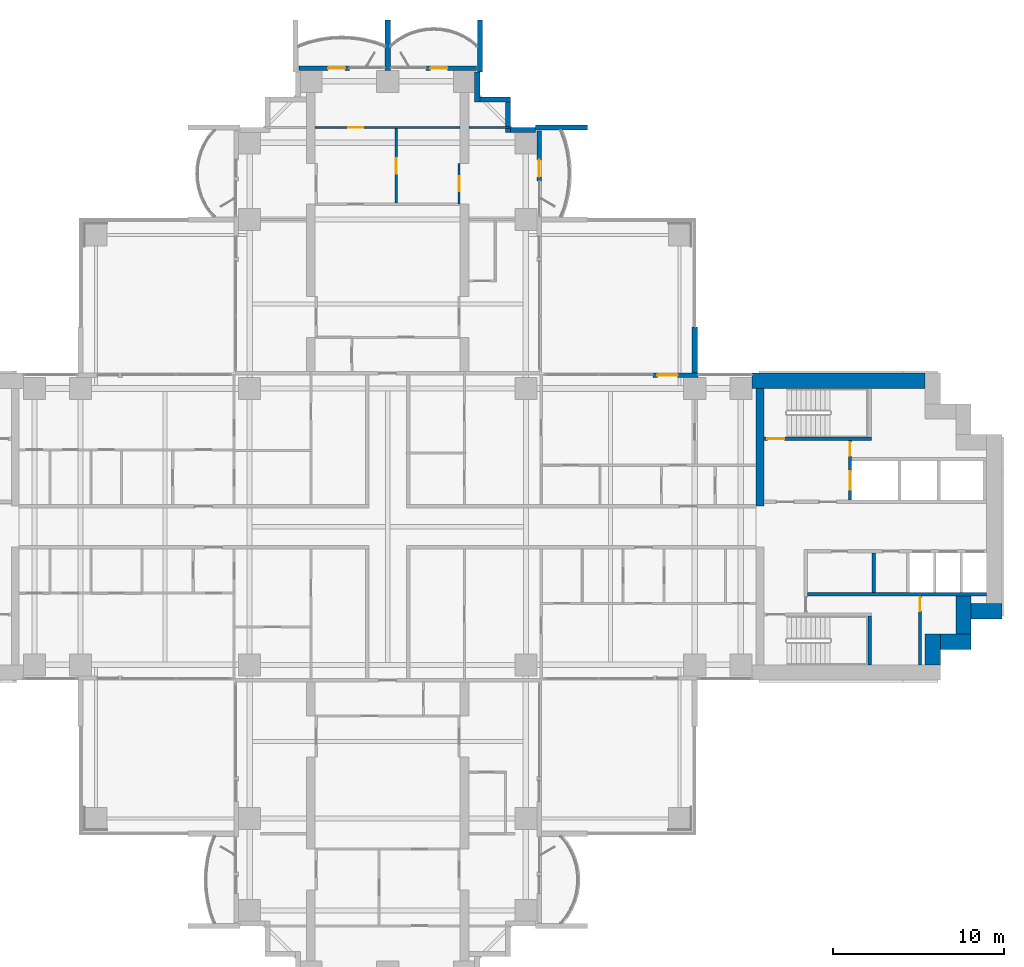
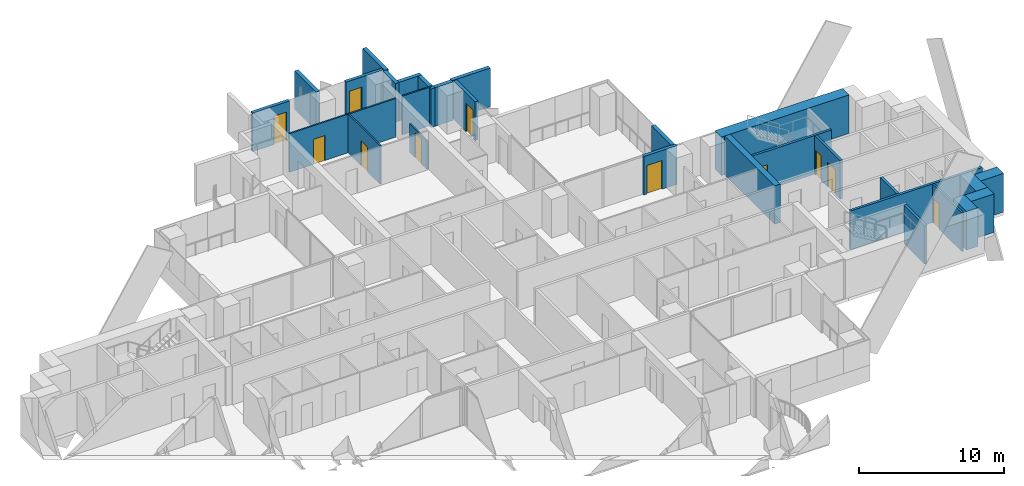
# One storey, part 16 of 21: 28 walls, 11 doors, 11 openings.
"""IFC4 building model written with IfcOpenShell, lengths in metres."""

from ifc_helpers import new_model, si_unit, direction, frame, frame_2d, origin, place, context, subcontext, project, spatial, rectangle, extrude, material, layer, layer_set, type_object, element, fill, save


model = new_model("IFC4")

# Units and contexts
model_context = context("Model", 3, precision=1e-05, world=origin(), true_north=direction((0.0, 1.0)))
body_context = subcontext(model_context, "Body", "Model", "MODEL_VIEW")
ifc_project = project(units=[si_unit("LENGTHUNIT", "METRE"), si_unit("AREAUNIT", "SQUARE_METRE"), si_unit("VOLUMEUNIT", "CUBIC_METRE"), si_unit("PLANEANGLEUNIT", "RADIAN"), si_unit("MASSUNIT", "GRAM", prefix="KILO")], contexts=[model_context])

# Site, building, storey
site_placement = place(None, origin())
site = spatial("IfcSite", under=ifc_project, at=site_placement, CompositionType="ELEMENT")
building_placement = place(site_placement, origin())
building = spatial("IfcBuilding", under=site, at=building_placement, Name="Perihelion Cross Residences", CompositionType="ELEMENT")
storey_placement = place(building_placement, frame((0.0, 0.0, 75.0)))
storey = spatial("IfcBuildingStorey", under=building, at=storey_placement, Name="L16", CompositionType="ELEMENT", Elevation=75.0)

# Wall, opening, door
ifc_material_1 = material(Name="Concrete C30/37, bronze-clad", Category="concrete")
ifc_layer_1 = layer(ifc_material_1, 0.25)
ifc_layer_set_1 = layer_set([ifc_layer_1], Name="Bronze-clad pier wall 250")
wall_type_1 = type_object("IfcWallType", Name="Bronze-clad pier wall 250", PredefinedType="SOLIDWALL", material=ifc_layer_set_1)
wall_1_placement = place(storey_placement, frame((18.199951171875, 8.875, 0.0), z_axis=(0.0, 0.0, 1.0), x_axis=(-1.0, 0.0, 0.0)))
wall_1 = element("IfcWall", 1, at=wall_1_placement, inside=storey, type_object=wall_type_1, Name="Wall FW1 L16 east side north bay 2 pier", PredefinedType="SOLIDWALL", context=body_context, shape_type="SweptSolid", body=[
    extrude(rectangle(XDim=2.64990234375, YDim=0.25, at=frame_2d((1.324951171875, 0.0))), origin(), (0.0, 0.0, 1.0), 3.25),
])
opening_1_placement = place(wall_1_placement, frame((1.199951171875, 0.0, 0.0)))
opening_1 = element("IfcOpeningElement", 2, at=opening_1_placement, cuts=wall_1, Name="Opening L16.E01", PredefinedType="OPENING", context=body_context, shape_type="SweptSolid", body=[
    extrude(rectangle(XDim=1.199951171875, YDim=2.39990234375, at=frame_2d((0.60009765625, 1.199951171875))), frame((0.0, 0.135009765625, 0.0), z_axis=(0.0, -1.0, 0.0), x_axis=(1.0, 0.0, 0.0)), (0.0, 0.0, 1.0), 0.27001953125),
])
ifc_material_2 = material(Name="Bronze anodised aluminium, glazed", Category="aluminium")
door_type_1 = type_object("IfcDoorType", Name="Balcony door 1200 x 2400", OperationType="NOTDEFINED", PredefinedType="DOOR", material=ifc_material_2)
door_1_placement = place(opening_1_placement, origin())
door_1 = element("IfcDoor", 3, at=door_1_placement, inside=storey, type_object=door_type_1, Name="Door L16.E01 east side north bay 2", OperationType="SINGLE_SWING_RIGHT", OverallHeight=2.39990234375, OverallWidth=1.199951171875, PredefinedType="DOOR", context=body_context, shape_type="SweptSolid", body=[
    extrude(rectangle(XDim=1.199951171875, YDim=2.39990234375, at=frame_2d((0.60009765625, 1.199951171875))), frame((0.0, 0.02490234375, 0.0), z_axis=(0.0, -1.0, 0.0), x_axis=(1.0, 0.0, 0.0)), (0.0, 0.0, 1.0), 0.050048828125),
])
fill(opening_1, door_1)

wall_2_placement = place(storey_placement, frame((8.875, 20.25, 0.0), z_axis=(0.0, 0.0, 1.0), x_axis=(0.0, 1.0, 0.0)))
wall_2 = element("IfcWall", 4, at=wall_2_placement, inside=storey, type_object=wall_type_1, Name="Wall FW1 L16 north side east bay 2 pier", PredefinedType="SOLIDWALL", context=body_context, shape_type="SweptSolid", body=[
    extrude(rectangle(XDim=2.949951171875, YDim=0.25, at=frame_2d((1.47509765625, 0.0))), origin(), (0.0, 0.0, 1.0), 3.25),
])
opening_2_placement = place(wall_2_placement, frame((0.25, 0.0, 0.0)))
opening_2 = element("IfcOpeningElement", 5, at=opening_2_placement, cuts=wall_2, Name="Opening L16.E03", PredefinedType="OPENING", context=body_context, shape_type="SweptSolid", body=[
    extrude(rectangle(XDim=1.0, YDim=2.39990234375, at=frame_2d((0.5, 1.199951171875))), frame((0.0, 0.135009765625, 0.0), z_axis=(0.0, -1.0, 0.0), x_axis=(1.0, 0.0, 0.0)), (0.0, 0.0, 1.0), 0.27001953125),
])
ifc_material_3 = material(Name="Bronze anodised aluminium, glazed", Category="aluminium")
door_type_2 = type_object("IfcDoorType", Name="Balcony door 1000 x 2400", OperationType="NOTDEFINED", PredefinedType="DOOR", material=ifc_material_3)
door_2_placement = place(opening_2_placement, origin())
door_2 = element("IfcDoor", 6, at=door_2_placement, inside=storey, type_object=door_type_2, Name="Door L16.E03 north side east bay 2", OperationType="SINGLE_SWING_RIGHT", OverallHeight=2.39990234375, OverallWidth=1.0, PredefinedType="DOOR", context=body_context, shape_type="SweptSolid", body=[
    extrude(rectangle(XDim=1.0, YDim=2.39990234375, at=frame_2d((0.5, 1.199951171875))), frame((0.0, 0.02490234375, 0.0), z_axis=(0.0, -1.0, 0.0), x_axis=(1.0, 0.0, 0.0)), (0.0, 0.0, 1.0), 0.050048828125),
])
fill(opening_2, door_2)

wall_3_placement = place(storey_placement, frame((5.199951171875, 26.875, 0.0), z_axis=(0.0, 0.0, 1.0), x_axis=(-1.0, 0.0, 0.0)))
wall_3 = element("IfcWall", 7, at=wall_3_placement, inside=storey, type_object=wall_type_1, Name="Wall FW1 L16 north tip north bay 1 pier", PredefinedType="SOLIDWALL", context=body_context, shape_type="SweptSolid", body=[
    extrude(rectangle(XDim=2.949951171875, YDim=0.25, at=frame_2d((1.47509765625, 0.0))), origin(), (0.0, 0.0, 1.0), 3.25),
])
opening_3_placement = place(wall_3_placement, frame((1.699951171875, 0.0, 0.0)))
opening_3 = element("IfcOpeningElement", 8, at=opening_3_placement, cuts=wall_3, Name="Opening L16.E04", PredefinedType="OPENING", context=body_context, shape_type="SweptSolid", body=[
    extrude(rectangle(XDim=1.0, YDim=2.39990234375, at=frame_2d((0.5, 1.199951171875))), frame((0.0, 0.135009765625, 0.0), z_axis=(0.0, -1.0, 0.0), x_axis=(1.0, 0.0, 0.0)), (0.0, 0.0, 1.0), 0.27001953125),
])
door_3_placement = place(opening_3_placement, origin())
door_3 = element("IfcDoor", 9, at=door_3_placement, inside=storey, type_object=door_type_2, Name="Door L16.E04 north tip north bay 1", OperationType="SINGLE_SWING_LEFT", OverallHeight=2.39990234375, OverallWidth=1.0, PredefinedType="DOOR", context=body_context, shape_type="SweptSolid", body=[
    extrude(rectangle(XDim=1.0, YDim=2.39990234375, at=frame_2d((0.5, 1.199951171875))), frame((0.0, 0.02490234375, 0.0), z_axis=(0.0, -1.0, 0.0), x_axis=(1.0, 0.0, 0.0)), (0.0, 0.0, 1.0), 0.050048828125),
])
fill(opening_3, door_3)

wall_4_placement = place(storey_placement, frame((-2.25, 26.875, 0.0), z_axis=(0.0, 0.0, 1.0), x_axis=(-1.0, 0.0, 0.0)))
wall_4 = element("IfcWall", 10, at=wall_4_placement, inside=storey, type_object=wall_type_1, Name="Wall FW1 L16 north tip north bay 2 pier", PredefinedType="SOLIDWALL", context=body_context, shape_type="SweptSolid", body=[
    extrude(rectangle(XDim=2.949951171875, YDim=0.25, at=frame_2d((1.47509765625, 0.0))), origin(), (0.0, 0.0, 1.0), 3.25),
])
opening_4_placement = place(wall_4_placement, frame((0.25, 0.0, 0.0)))
opening_4 = element("IfcOpeningElement", 11, at=opening_4_placement, cuts=wall_4, Name="Opening L16.E05", PredefinedType="OPENING", context=body_context, shape_type="SweptSolid", body=[
    extrude(rectangle(XDim=1.0, YDim=2.39990234375, at=frame_2d((0.5, 1.199951171875))), frame((0.0, 0.135009765625, 0.0), z_axis=(0.0, -1.0, 0.0), x_axis=(1.0, 0.0, 0.0)), (0.0, 0.0, 1.0), 0.27001953125),
])
door_4_placement = place(opening_4_placement, origin())
door_4 = element("IfcDoor", 12, at=door_4_placement, inside=storey, type_object=door_type_2, Name="Door L16.E05 north tip north bay 2", OperationType="SINGLE_SWING_RIGHT", OverallHeight=2.39990234375, OverallWidth=1.0, PredefinedType="DOOR", context=body_context, shape_type="SweptSolid", body=[
    extrude(rectangle(XDim=1.0, YDim=2.39990234375, at=frame_2d((0.5, 1.199951171875))), frame((0.0, 0.02490234375, 0.0), z_axis=(0.0, -1.0, 0.0), x_axis=(1.0, 0.0, 0.0)), (0.0, 0.0, 1.0), 0.050048828125),
])
fill(opening_4, door_4)

# Walls
ifc_material_4 = material(Name="Concrete C30/37, bronze-clad", Category="concrete")
ifc_layer_2 = layer(ifc_material_4, 0.300048828125)
ifc_layer_set_2 = layer_set([ifc_layer_2], Name="Bronze-clad serration wall 300")
wall_type_2 = type_object("IfcWallType", Name="Bronze-clad serration wall 300", PredefinedType="SOLIDWALL", material=ifc_layer_set_2)
wall_5_placement = place(storey_placement, frame((8.64990234375, 23.25, 0.0), z_axis=(0.0, 0.0, 1.0), x_axis=(-1.0, 0.0, 0.0)))
element("IfcWall", 13, at=wall_5_placement, inside=storey, type_object=wall_type_2, Name="Wall SR1 L16 north corner north-east 1", PredefinedType="SOLIDWALL", context=body_context, shape_type="SweptSolid", body=[
    extrude(rectangle(XDim=1.449951171875, YDim=0.300048828125, at=frame_2d((0.72509765625, 0.0))), origin(), (0.0, 0.0, 1.0), 3.25),
])
wall_6_placement = place(storey_placement, frame((7.050048828125, 23.10009765625, 0.0), z_axis=(0.0, 0.0, 1.0), x_axis=(0.0, 1.0, 0.0)))
element("IfcWall", 14, at=wall_6_placement, inside=storey, type_object=wall_type_2, Name="Wall SR1 L16 north corner north-east 2", PredefinedType="SOLIDWALL", context=body_context, shape_type="SweptSolid", body=[
    extrude(rectangle(XDim=1.7998046875, YDim=0.300048828125, at=frame_2d((0.89990234375, 0.0))), origin(), (0.0, 0.0, 1.0), 3.25),
])
wall_7_placement = place(storey_placement, frame((7.199951171875, 25.050048828125, 0.0), z_axis=(0.0, 0.0, 1.0), x_axis=(-1.0, 0.0, 0.0)))
element("IfcWall", 15, at=wall_7_placement, inside=storey, type_object=wall_type_2, Name="Wall SR1 L16 north corner north-east 3", PredefinedType="SOLIDWALL", context=body_context, shape_type="SweptSolid", body=[
    extrude(rectangle(XDim=1.800048828125, YDim=0.300048828125, at=frame_2d((0.89990234375, 0.0))), origin(), (0.0, 0.0, 1.0), 3.25),
])
wall_8_placement = place(storey_placement, frame((5.25, 24.89990234375, 0.0), z_axis=(0.0, 0.0, 1.0), x_axis=(0.0, 1.0, 0.0)))
element("IfcWall", 16, at=wall_8_placement, inside=storey, type_object=wall_type_2, Name="Wall SR1 L16 north corner north-east 4", PredefinedType="SOLIDWALL", context=body_context, shape_type="SweptSolid", body=[
    extrude(rectangle(XDim=1.75, YDim=0.300048828125, at=frame_2d((0.875, 0.0))), origin(), (0.0, 0.0, 1.0), 3.25),
])
ifc_material_5 = material(Name="Concrete C60/75", Category="concrete")
ifc_layer_3 = layer(ifc_material_5, 0.449951171875)
ifc_layer_set_3 = layer_set([ifc_layer_3], Name="Core wall, inner 450")
wall_type_3 = type_object("IfcWallType", Name="Core wall, inner 450", PredefinedType="SHEAR", material=ifc_layer_set_3)
wall_9_placement = place(storey_placement, frame((21.824951171875, 1.199951171875, 0.0), z_axis=(0.0, 0.0, 1.0), x_axis=(0.0, 1.0, 0.0)))
element("IfcWall", 17, at=wall_9_placement, inside=storey, type_object=wall_type_3, Name="East core core wall, inner", PredefinedType="SHEAR", context=body_context, shape_type="SweptSolid", body=[
    extrude(rectangle(XDim=6.900146484375, YDim=0.449951171875, at=frame_2d((3.4501953125, 0.0))), origin(), (0.0, 0.0, 1.0), 3.25),
])
ifc_material_6 = material(Name="Concrete C60/75", Category="concrete")
ifc_layer_4 = layer(ifc_material_6, 0.89990234375)
ifc_layer_set_4 = layer_set([ifc_layer_4], Name="Core wall, outer 900")
wall_type_4 = type_object("IfcWallType", Name="Core wall, outer 900", PredefinedType="SHEAR", material=ifc_layer_set_4)
for number, where, z_axis, x_axis, name in (
    (18, (31.949951171875, -8.10009765625, 0.0), (0.0, 0.0, 1.0), (0.0, 1.0, 0.0), "East core core wall, outer"),
    (19, (32.39990234375, -6.75, 0.0), (0.0, 0.0, 1.0), (1.0, 0.0, 0.0), "East core core wall, outer"),
):
    element("IfcWall", number, at=place(storey_placement, frame(where, z_axis=z_axis, x_axis=x_axis)), inside=storey, type_object=wall_type_4, Name=name, PredefinedType="SHEAR", context=body_context, shape_type="SweptSolid", body=[
        extrude(rectangle(XDim=1.800048828125, YDim=0.89990234375, at=frame_2d((0.89990234375, 0.0))), origin(), (0.0, 0.0, 1.0), 3.25),
    ])
wall_10_placement = place(storey_placement, frame((33.75, -6.300048828125, 0.0), z_axis=(0.0, 0.0, 1.0), x_axis=(0.0, 1.0, 0.0)))
element("IfcWall", 20, at=wall_10_placement, inside=storey, type_object=wall_type_4, Name="East core core wall, outer", PredefinedType="SHEAR", context=body_context, shape_type="SweptSolid", body=[
    extrude(rectangle(XDim=2.25, YDim=0.89990234375, at=frame_2d((1.125, 0.0))), origin(), (0.0, 0.0, 1.0), 3.25),
])
wall_11_placement = place(storey_placement, frame((34.199951171875, -4.949951171875, 0.0), z_axis=(0.0, 0.0, 1.0), x_axis=(1.0, 0.0, 0.0)))
element("IfcWall", 21, at=wall_11_placement, inside=storey, type_object=wall_type_4, Name="East core core wall, outer", PredefinedType="SHEAR", context=body_context, shape_type="SweptSolid", body=[
    extrude(rectangle(XDim=1.800048828125, YDim=0.89990234375, at=frame_2d((0.89990234375, 0.0))), origin(), (0.0, 0.0, 1.0), 3.25),
])
wall_12_placement = place(storey_placement, frame((21.35009765625, 8.550048828125, 0.0), z_axis=(0.0, 0.0, 1.0), x_axis=(1.0, 0.0, 0.0)))
element("IfcWall", 22, at=wall_12_placement, inside=storey, type_object=wall_type_4, Name="East core core wall, outer", PredefinedType="SHEAR", context=body_context, shape_type="SweptSolid", body=[
    extrude(rectangle(XDim=10.14990234375, YDim=0.89990234375, at=frame_2d((5.074951171875, 0.0))), origin(), (0.0, 0.0, 1.0), 3.25),
])

# Wall, opening, door
ifc_material_7 = material(Name="Plasterboard partition")
ifc_layer_5 = layer(ifc_material_7, 0.1201171875)
ifc_layer_set_5 = layer_set([ifc_layer_5], Name="Infill panel 120")
wall_type_5 = type_object("IfcWallType", Name="Infill panel 120", PredefinedType="PARTITIONING", material=ifc_layer_set_5)
wall_13_placement = place(storey_placement, frame((4.18994140625, 18.89990234375, 0.0), z_axis=(0.0, 0.0, 1.0), x_axis=(0.0, 1.0, 0.0)))
wall_13 = element("IfcWall", 23, at=wall_13_placement, inside=storey, type_object=wall_type_5, Name="Partition L16 WI02", PredefinedType="PARTITIONING", context=body_context, shape_type="SweptSolid", body=[
    extrude(rectangle(XDim=2.400146484375, YDim=0.1201171875, at=frame_2d((1.2001953125, 0.0))), origin(), (0.0, 0.0, 1.0), 2.39990234375),
])
opening_5_placement = place(wall_13_placement, frame((0.75, 0.0, 0.0)))
opening_5 = element("IfcOpeningElement", 24, at=opening_5_placement, cuts=wall_13, Name="Opening L16.A51", PredefinedType="OPENING", context=body_context, shape_type="SweptSolid", body=[
    extrude(rectangle(XDim=0.89990234375, YDim=2.10009765625, at=frame_2d((0.449951171875, 1.050048828125))), frame((0.0, 0.070068359375, 0.0), z_axis=(0.0, -1.0, 0.0), x_axis=(1.0, 0.0, 0.0)), (0.0, 0.0, 1.0), 0.14013671875),
])
ifc_material_8 = material(Name="Timber door leaf", Category="wood")
door_type_3 = type_object("IfcDoorType", Name="Interior room door 900 x 2100", OperationType="SINGLE_SWING_LEFT", PredefinedType="DOOR", material=ifc_material_8)
door_5_placement = place(opening_5_placement, origin())
door_5 = element("IfcDoor", 25, at=door_5_placement, inside=storey, type_object=door_type_3, Name="Door L16.A51", OperationType="SINGLE_SWING_LEFT", OverallHeight=2.10009765625, OverallWidth=0.89990234375, PredefinedType="DOOR", context=body_context, shape_type="SweptSolid", body=[
    extrude(rectangle(XDim=0.89990234375, YDim=2.10009765625, at=frame_2d((0.449951171875, 1.050048828125))), frame((0.0, 0.02490234375, 0.0), z_axis=(0.0, -1.0, 0.0), x_axis=(1.0, 0.0, 0.0)), (0.0, 0.0, 1.0), 0.050048828125),
])
fill(opening_5, door_5)

ifc_material_9 = material(Name="Plasterboard partition")
ifc_layer_6 = layer(ifc_material_9, 0.1201171875)
ifc_layer_set_6 = layer_set([ifc_layer_6], Name="Partition wall 120")
wall_type_6 = type_object("IfcWallType", Name="Partition wall 120", PredefinedType="PARTITIONING", material=ifc_layer_set_6)
wall_14_placement = place(storey_placement, frame((0.5, 23.340087890625, 0.0), z_axis=(0.0, 0.0, 1.0), x_axis=(0.0, -1.0, 0.0)))
wall_14 = element("IfcWall", 26, at=wall_14_placement, inside=storey, type_object=wall_type_6, Name="Partition L16 W057", PredefinedType="PARTITIONING", context=body_context, shape_type="SweptSolid", body=[
    extrude(rectangle(XDim=4.380126953125, YDim=0.1201171875, at=frame_2d((2.18994140625, 0.0))), origin(), (0.0, 0.0, 1.0), 3.25),
])
opening_6_placement = place(wall_14_placement, frame((1.739990234375, 0.0, 0.0)))
opening_6 = element("IfcOpeningElement", 27, at=opening_6_placement, cuts=wall_14, Name="Opening L16.A36", PredefinedType="OPENING", context=body_context, shape_type="SweptSolid", body=[
    extrude(rectangle(XDim=0.89990234375, YDim=2.10009765625, at=frame_2d((0.449951171875, 1.050048828125))), frame((0.0, 0.070068359375, 0.0), z_axis=(0.0, -1.0, 0.0), x_axis=(1.0, 0.0, 0.0)), (0.0, 0.0, 1.0), 0.14013671875),
])
door_6_placement = place(opening_6_placement, origin())
door_6 = element("IfcDoor", 28, at=door_6_placement, inside=storey, type_object=door_type_3, Name="Door L16.A36", OperationType="SINGLE_SWING_LEFT", OverallHeight=2.10009765625, OverallWidth=0.89990234375, PredefinedType="DOOR", context=body_context, shape_type="SweptSolid", body=[
    extrude(rectangle(XDim=0.89990234375, YDim=2.10009765625, at=frame_2d((0.449951171875, 1.050048828125))), frame((0.0, 0.02490234375, 0.0), z_axis=(0.0, -1.0, 0.0), x_axis=(1.0, 0.0, 0.0)), (0.0, 0.0, 1.0), 0.050048828125),
])
fill(opening_6, door_6)

wall_15_placement = place(storey_placement, frame((-4.25, 23.39990234375, 0.0), z_axis=(0.0, 0.0, 1.0), x_axis=(1.0, 0.0, 0.0)))
wall_15 = element("IfcWall", 29, at=wall_15_placement, inside=storey, type_object=wall_type_6, Name="Partition L16 W058", PredefinedType="PARTITIONING", context=body_context, shape_type="SweptSolid", body=[
    extrude(rectangle(XDim=8.5, YDim=0.1201171875, at=frame_2d((4.25, 0.0))), origin(), (0.0, 0.0, 1.0), 3.25),
])
opening_7_placement = place(wall_15_placement, frame((1.925048828125, 0.0, 0.0)))
opening_7 = element("IfcOpeningElement", 30, at=opening_7_placement, cuts=wall_15, Name="Opening L16.A37", PredefinedType="OPENING", context=body_context, shape_type="SweptSolid", body=[
    extrude(rectangle(XDim=0.89990234375, YDim=2.10009765625, at=frame_2d((0.449951171875, 1.050048828125))), frame((0.0, 0.070068359375, 0.0), z_axis=(0.0, -1.0, 0.0), x_axis=(1.0, 0.0, 0.0)), (0.0, 0.0, 1.0), 0.14013671875),
])
door_7_placement = place(opening_7_placement, origin())
door_7 = element("IfcDoor", 31, at=door_7_placement, inside=storey, type_object=door_type_3, Name="Door L16.A37", OperationType="SINGLE_SWING_LEFT", OverallHeight=2.10009765625, OverallWidth=0.89990234375, PredefinedType="DOOR", context=body_context, shape_type="SweptSolid", body=[
    extrude(rectangle(XDim=0.89990234375, YDim=2.10009765625, at=frame_2d((0.449951171875, 1.050048828125))), frame((0.0, 0.02490234375, 0.0), z_axis=(0.0, -1.0, 0.0), x_axis=(1.0, 0.0, 0.0)), (0.0, 0.0, 1.0), 0.050048828125),
])
fill(opening_7, door_7)

# Walls
wall_16_placement = place(storey_placement, frame((4.75, 23.39990234375, 0.0), z_axis=(0.0, 0.0, 1.0), x_axis=(1.0, 0.0, 0.0)))
element("IfcWall", 32, at=wall_16_placement, inside=storey, type_object=wall_type_6, Name="Partition L16 W063", PredefinedType="PARTITIONING", context=body_context, shape_type="SweptSolid", body=[
    extrude(rectangle(XDim=2.3701171875, YDim=0.1201171875, at=frame_2d((1.18505859375, 0.0))), origin(), (0.0, 0.0, 1.0), 3.25),
])
ifc_material_10 = material(Name="Precast concrete C50/60", Category="concrete")
ifc_layer_7 = layer(ifc_material_10, 0.300048828125)
ifc_layer_set_7 = layer_set([ifc_layer_7], Name="Precast concrete C50/60 blade wall 300")
wall_type_7 = type_object("IfcWallType", Name="Precast concrete C50/60 blade wall 300", PredefinedType="SOLIDWALL", material=ifc_layer_set_7)
wall_17_placement = place(storey_placement, frame((0.0, 26.75, 0.0), z_axis=(0.0, 0.0, 1.0), x_axis=(0.0, 1.0, 0.0)))
element("IfcWall", 33, at=wall_17_placement, inside=storey, type_object=wall_type_7, Name="Wall BL1 L16 no. 10", PredefinedType="SOLIDWALL", context=body_context, shape_type="SweptSolid", body=[
    extrude(rectangle(XDim=2.949951171875, YDim=0.300048828125, at=frame_2d((1.47509765625, 0.0))), origin(), (0.0, 0.0, 1.0), 3.25),
])
for number, where, z_axis, x_axis, name in (
    (34, (5.39990234375, 26.64990234375, 0.0), (0.0, 0.0, 1.0), (0.0, 1.0, 0.0), "Wall BL1 L16 no. 14"),
    (35, (8.64990234375, 23.39990234375, 0.0), (0.0, 0.0, 1.0), (1.0, 0.0, 0.0), "Wall BL1 L16 no. 18"),
):
    element("IfcWall", number, at=place(storey_placement, frame(where, z_axis=z_axis, x_axis=x_axis)), inside=storey, type_object=wall_type_7, Name=name, PredefinedType="SOLIDWALL", context=body_context, shape_type="SweptSolid", body=[
        extrude(rectangle(XDim=3.050048828125, YDim=0.300048828125, at=frame_2d((1.52490234375, 0.0))), origin(), (0.0, 0.0, 1.0), 3.25),
    ])
wall_18_placement = place(storey_placement, frame((18.0, 8.75, 0.0), z_axis=(0.0, 0.0, 1.0), x_axis=(0.0, 1.0, 0.0)))
element("IfcWall", 36, at=wall_18_placement, inside=storey, type_object=wall_type_7, Name="Wall BL1 L16 no. 12", PredefinedType="SOLIDWALL", context=body_context, shape_type="SweptSolid", body=[
    extrude(rectangle(XDim=2.949951171875, YDim=0.300048828125, at=frame_2d((1.47509765625, 0.0))), origin(), (0.0, 0.0, 1.0), 3.25),
])

# Wall, opening, door
ifc_material_11 = material(Name="Fire-rated board on steel stud", Category="steel")
ifc_layer_8 = layer(ifc_material_11, 0.14990234375)
ifc_layer_set_8 = layer_set([ifc_layer_8], Name="Riser wall 150")
wall_type_8 = type_object("IfcWallType", Name="Riser wall 150", PredefinedType="PARTITIONING", material=ifc_layer_set_8)
wall_19_placement = place(storey_placement, frame((31.199951171875, -8.10009765625, 0.0), z_axis=(0.0, 0.0, 1.0), x_axis=(0.0, 1.0, 0.0)))
wall_19 = element("IfcWall", 37, at=wall_19_placement, inside=storey, type_object=wall_type_8, Name="East core riser wall", PredefinedType="PARTITIONING", context=body_context, shape_type="SweptSolid", body=[
    extrude(rectangle(XDim=4.050048828125, YDim=0.14990234375, at=frame_2d((2.02490234375, 0.0))), origin(), (0.0, 0.0, 1.0), 3.25),
])
opening_8_placement = place(wall_19_placement, frame((3.14990234375, 0.0, 0.0)))
opening_8 = element("IfcOpeningElement", 38, at=opening_8_placement, cuts=wall_19, Name="Opening L16.C13", PredefinedType="OPENING", context=body_context, shape_type="SweptSolid", body=[
    extrude(rectangle(XDim=0.800048828125, YDim=2.10009765625, at=frame_2d((0.39990234375, 1.050048828125))), frame((0.0, 0.0849609375, 0.0), z_axis=(0.0, -1.0, 0.0), x_axis=(1.0, 0.0, 0.0)), (0.0, 0.0, 1.0), 0.169921875),
])
ifc_material_12 = material(Name="Steel, powder coated", Category="steel")
door_type_4 = type_object("IfcDoorType", Name="Riser door 800", OperationType="SINGLE_SWING_LEFT", PredefinedType="DOOR", material=ifc_material_12)
door_8_placement = place(opening_8_placement, origin())
door_8 = element("IfcDoor", 39, at=door_8_placement, inside=storey, type_object=door_type_4, Name="East core riser door", OperationType="SINGLE_SWING_LEFT", OverallHeight=2.10009765625, OverallWidth=0.800048828125, PredefinedType="DOOR", context=body_context, shape_type="SweptSolid", body=[
    extrude(rectangle(XDim=0.800048828125, YDim=2.10009765625, at=frame_2d((0.39990234375, 1.050048828125))), frame((0.0, 0.02490234375, 0.0), z_axis=(0.0, -1.0, 0.0), x_axis=(1.0, 0.0, 0.0)), (0.0, 0.0, 1.0), 0.050048828125),
])
fill(opening_8, door_8)

# Walls
ifc_material_13 = material(Name="Fire-rated board on steel stud", Category="steel")
ifc_layer_9 = layer(ifc_material_13, 0.199951171875)
ifc_layer_set_9 = layer_set([ifc_layer_9], Name="Riser wall 200")
wall_type_9 = type_object("IfcWallType", Name="Riser wall 200", PredefinedType="PARTITIONING", material=ifc_layer_set_9)
wall_20_placement = place(storey_placement, frame((28.5, -3.85009765625, 0.0), z_axis=(0.0, 0.0, 1.0), x_axis=(0.0, 1.0, 0.0)))
element("IfcWall", 40, at=wall_20_placement, inside=storey, type_object=wall_type_9, Name="East core riser wall", PredefinedType="PARTITIONING", context=body_context, shape_type="SweptSolid", body=[
    extrude(rectangle(XDim=2.300048828125, YDim=0.199951171875, at=frame_2d((1.14990234375, 0.0))), origin(), (0.0, 0.0, 1.0), 3.25),
])
ifc_material_14 = material(Name="Concrete C50/60", Category="concrete")
ifc_layer_10 = layer(ifc_material_14, 0.199951171875)
ifc_layer_set_10 = layer_set([ifc_layer_10], Name="Shaft wall 200")
wall_type_10 = type_object("IfcWallType", Name="Shaft wall 200", PredefinedType="SOLIDWALL", material=ifc_layer_set_10)
wall_21_placement = place(storey_placement, frame((24.60009765625, -3.949951171875, 0.0), z_axis=(0.0, 0.0, 1.0), x_axis=(1.0, 0.0, 0.0)))
element("IfcWall", 41, at=wall_21_placement, inside=storey, type_object=wall_type_10, Name="East core shaft wall", PredefinedType="SOLIDWALL", context=body_context, shape_type="SweptSolid", body=[
    extrude(rectangle(XDim=10.5, YDim=0.199951171875, at=frame_2d((5.25, 0.0))), origin(), (0.0, 0.0, 1.0), 3.25),
])

# Wall, openings, doors
wall_22_placement = place(storey_placement, frame((27.10009765625, 1.550048828125, 0.0), z_axis=(0.0, 0.0, 1.0), x_axis=(0.0, 1.0, 0.0)))
wall_22 = element("IfcWall", 42, at=wall_22_placement, inside=storey, type_object=wall_type_10, Name="East core shaft wall", PredefinedType="SOLIDWALL", context=body_context, shape_type="SweptSolid", body=[
    extrude(rectangle(XDim=3.5, YDim=0.199951171875, at=frame_2d((1.75, 0.0))), origin(), (0.0, 0.0, 1.0), 3.25),
])
opening_9_placement = place(wall_22_placement, frame((0.60009765625, 0.0, 0.0)))
opening_9 = element("IfcOpeningElement", 43, at=opening_9_placement, cuts=wall_22, Name="Opening L16.C01", PredefinedType="OPENING", context=body_context, shape_type="SweptSolid", body=[
    extrude(rectangle(XDim=1.10009765625, YDim=2.10009765625, at=frame_2d((0.550048828125, 1.050048828125))), frame((0.0, 0.10986328125, 0.0), z_axis=(0.0, -1.0, 0.0), x_axis=(1.0, 0.0, 0.0)), (0.0, 0.0, 1.0), 0.219970703125),
])
opening_10_placement = place(wall_22_placement, frame((2.60009765625, 0.0, 0.0)))
opening_10 = element("IfcOpeningElement", 44, at=opening_10_placement, cuts=wall_22, Name="Opening L16.C11", PredefinedType="OPENING", context=body_context, shape_type="SweptSolid", body=[
    extrude(rectangle(XDim=0.800048828125, YDim=2.10009765625, at=frame_2d((0.39990234375, 1.050048828125))), frame((0.0, 0.10986328125, 0.0), z_axis=(0.0, -1.0, 0.0), x_axis=(1.0, 0.0, 0.0)), (0.0, 0.0, 1.0), 0.219970703125),
])
ifc_material_15 = material(Name="Stainless steel", Category="steel")
door_type_5 = type_object("IfcDoorType", Name="Landing door, firefighting lift 1100", OperationType="DOUBLE_DOOR_SLIDING", PredefinedType="DOOR", material=ifc_material_15)
door_9_placement = place(opening_9_placement, origin())
door_9 = element("IfcDoor", 45, at=door_9_placement, inside=storey, type_object=door_type_5, Name="Landing door, East core firefighting and service lift", OperationType="DOUBLE_DOOR_SLIDING", OverallHeight=2.10009765625, OverallWidth=1.10009765625, PredefinedType="DOOR", context=body_context, shape_type="SweptSolid", body=[
    extrude(rectangle(XDim=1.10009765625, YDim=2.10009765625, at=frame_2d((0.550048828125, 1.050048828125))), frame((0.0, 0.02490234375, 0.0), z_axis=(0.0, -1.0, 0.0), x_axis=(1.0, 0.0, 0.0)), (0.0, 0.0, 1.0), 0.050048828125),
])
fill(opening_9, door_9)
door_10_placement = place(opening_10_placement, origin())
door_10 = element("IfcDoor", 46, at=door_10_placement, inside=storey, type_object=door_type_4, Name="East core riser door", OperationType="SINGLE_SWING_LEFT", OverallHeight=2.10009765625, OverallWidth=0.800048828125, PredefinedType="DOOR", context=body_context, shape_type="SweptSolid", body=[
    extrude(rectangle(XDim=0.800048828125, YDim=2.10009765625, at=frame_2d((0.39990234375, 1.050048828125))), frame((0.0, 0.02490234375, 0.0), z_axis=(0.0, -1.0, 0.0), x_axis=(1.0, 0.0, 0.0)), (0.0, 0.0, 1.0), 0.050048828125),
])
fill(opening_10, door_10)

# Wall, opening, door
ifc_material_16 = material(Name="Concrete C50/60", Category="concrete")
ifc_layer_11 = layer(ifc_material_16, 0.199951171875)
ifc_layer_set_11 = layer_set([ifc_layer_11], Name="Stair wall 200")
wall_type_11 = type_object("IfcWallType", Name="Stair wall 200", PredefinedType="SOLIDWALL", material=ifc_layer_set_11)
wall_23_placement = place(storey_placement, frame((22.050048828125, 5.14990234375, 0.0), z_axis=(0.0, 0.0, 1.0), x_axis=(1.0, 0.0, 0.0)))
wall_23 = element("IfcWall", 47, at=wall_23_placement, inside=storey, type_object=wall_type_11, Name="East core stair wall", PredefinedType="SOLIDWALL", context=body_context, shape_type="SweptSolid", body=[
    extrude(rectangle(XDim=6.300048828125, YDim=0.199951171875, at=frame_2d((3.14990234375, 0.0))), origin(), (0.0, 0.0, 1.0), 3.25),
])
opening_11_placement = place(wall_23_placement, frame((0.199951171875, 0.0, 0.0)))
opening_11 = element("IfcOpeningElement", 48, at=opening_11_placement, cuts=wall_23, Name="Opening L16.C06", PredefinedType="OPENING", context=body_context, shape_type="SweptSolid", body=[
    extrude(rectangle(XDim=1.0, YDim=2.10009765625, at=frame_2d((0.5, 1.050048828125))), frame((0.0, 0.10986328125, 0.0), z_axis=(0.0, -1.0, 0.0), x_axis=(1.0, 0.0, 0.0)), (0.0, 0.0, 1.0), 0.219970703125),
])
ifc_material_17 = material(Name="Steel, powder coated", Category="steel")
door_type_6 = type_object("IfcDoorType", Name="Stair door 1000", OperationType="SINGLE_SWING_LEFT", PredefinedType="DOOR", material=ifc_material_17)
door_11_placement = place(opening_11_placement, origin())
door_11 = element("IfcDoor", 49, at=door_11_placement, inside=storey, type_object=door_type_6, Name="East core stair door", OperationType="SINGLE_SWING_LEFT", OverallHeight=2.10009765625, OverallWidth=1.0, PredefinedType="DOOR", context=body_context, shape_type="SweptSolid", body=[
    extrude(rectangle(XDim=1.0, YDim=2.10009765625, at=frame_2d((0.5, 1.050048828125))), frame((0.0, 0.02490234375, 0.0), z_axis=(0.0, -1.0, 0.0), x_axis=(1.0, 0.0, 0.0)), (0.0, 0.0, 1.0), 0.050048828125),
])
fill(opening_11, door_11)

# Wall
wall_24_placement = place(storey_placement, frame((28.25, -8.10009765625, 0.0), z_axis=(0.0, 0.0, 1.0), x_axis=(0.0, 1.0, 0.0)))
element("IfcWall", 50, at=wall_24_placement, inside=storey, type_object=wall_type_11, Name="East core stair wall", PredefinedType="SOLIDWALL", context=body_context, shape_type="SweptSolid", body=[
    extrude(rectangle(XDim=2.85009765625, YDim=0.199951171875, at=frame_2d((1.425048828125, 0.0))), origin(), (0.0, 0.0, 1.0), 3.25),
])

save(model, "model.ifc")
